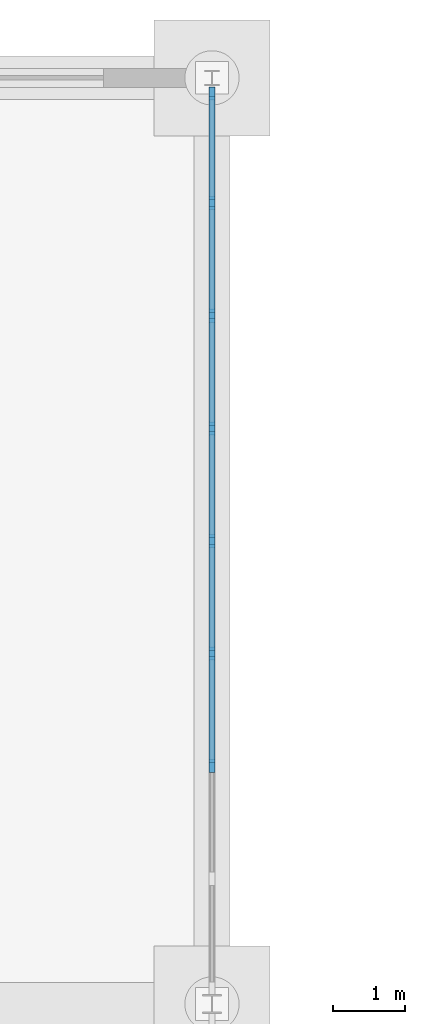
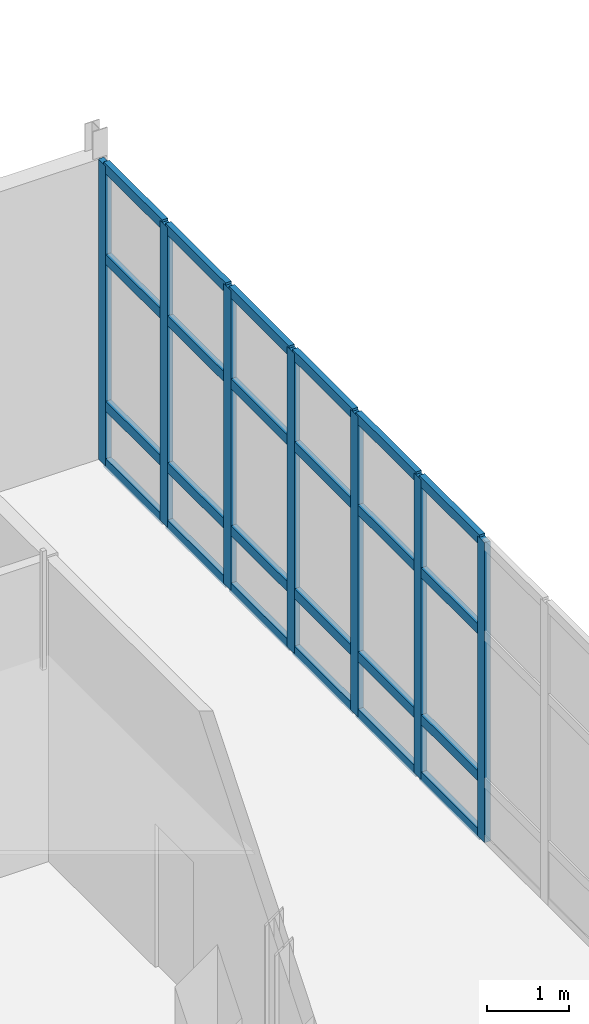
# One storey, part 35 of 111: 31 members, 1 element without a shape of its own.
"""IFC4 building model written with IfcOpenShell, lengths in metres."""

from ifc_helpers import new_model, si_unit, direction, frame, origin, origin_2d, place, context, subcontext, project, spatial, rectangle, extrude, material, material_profile, profile_set, type_object, element, aggregate, save


model = new_model("IFC4")

# Units and contexts
model_context = context("Model", 3, precision=1e-05, world=origin(), true_north=direction((0.0, 1.0)))
body_context = subcontext(model_context, "Body", "Model", "MODEL_VIEW")
ifc_project = project(units=[si_unit("LENGTHUNIT", "METRE"), si_unit("AREAUNIT", "SQUARE_METRE"), si_unit("VOLUMEUNIT", "CUBIC_METRE"), si_unit("PLANEANGLEUNIT", "RADIAN"), si_unit("MASSUNIT", "GRAM", prefix="KILO")], contexts=[model_context])

# Site, building, storey
site_placement = place(None, origin())
site = spatial("IfcSite", under=ifc_project, at=site_placement, CompositionType="ELEMENT")
building_placement = place(site_placement, origin())
building = spatial("IfcBuilding", under=site, at=building_placement, Name="Dunescarp Central Library", CompositionType="ELEMENT")
storey_placement = place(building_placement, origin())
storey = spatial("IfcBuildingStorey", under=building, at=storey_placement, Name="L00", CompositionType="ELEMENT", Elevation=0.0)

# Curtain wall, members
ifc_material = material(Name="Marine-grade anodised aluminium 6063-T6", Category="aluminium")
curtain_wall_type = type_object("IfcCurtainWallType", Name="ARC-CW-STICK", PredefinedType="NOTDEFINED", material=ifc_material)
curtain_wall_placement = place(storey_placement, origin())
curtain_wall = element("IfcCurtainWall", 1, at=curtain_wall_placement, inside=storey, type_object=curtain_wall_type, Name="L00 curtain wall CW-V4N-141", PredefinedType="NOTDEFINED")
ifc_material_profile_1 = material_profile(ifc_material, rectangle(XDim=0.080078125, YDim=0.179931640625, at=origin_2d()), Name="AL 80x180")
ifc_profile_set_1 = profile_set([ifc_material_profile_1], Name="Marine-grade anodised aluminium 6063-T6")
member_type_1 = type_object("IfcMemberType", Name="ARC-CWM-180", PredefinedType="MULLION", material=ifc_profile_set_1)
member_1_placement = place(storey_placement, frame((24.0, 111.784912109375, 0.0), z_axis=(0.0, 0.0, 1.0), x_axis=(1.0, 0.0, 0.0)))
member_1 = element("IfcMember", 2, at=member_1_placement, type_object=member_type_1, Name="CW-V4N-141 mullion 1", PredefinedType="MULLION", context=body_context, shape_type="SweptSolid", body=[
    extrude(rectangle(XDim=0.080078125, YDim=0.179931640625, at=origin_2d()), origin(), (0.0, 0.0, 1.0), 4.4951171875),
])
member_2_placement = place(storey_placement, frame((24.0, 110.268798828125, 0.0), z_axis=(0.0, 0.0, 1.0), x_axis=(1.0, 0.0, 0.0)))
member_2 = element("IfcMember", 3, at=member_2_placement, type_object=member_type_1, Name="CW-V4N-141 mullion 2", PredefinedType="MULLION", context=body_context, shape_type="SweptSolid", body=[
    extrude(rectangle(XDim=0.080078125, YDim=0.179931640625, at=origin_2d()), origin(), (0.0, 0.0, 1.0), 4.4951171875),
])
member_3_placement = place(storey_placement, frame((24.0, 108.71240234375, 0.0), z_axis=(0.0, 0.0, 1.0), x_axis=(1.0, 0.0, 0.0)))
member_3 = element("IfcMember", 4, at=member_3_placement, type_object=member_type_1, Name="CW-V4N-141 mullion 3", PredefinedType="MULLION", context=body_context, shape_type="SweptSolid", body=[
    extrude(rectangle(XDim=0.080078125, YDim=0.179931640625, at=origin_2d()), origin(), (0.0, 0.0, 1.0), 4.4951171875),
])
member_4_placement = place(storey_placement, frame((24.0, 107.15625, 0.0), z_axis=(0.0, 0.0, 1.0), x_axis=(1.0, 0.0, 0.0)))
member_4 = element("IfcMember", 5, at=member_4_placement, type_object=member_type_1, Name="CW-V4N-141 mullion 4", PredefinedType="MULLION", context=body_context, shape_type="SweptSolid", body=[
    extrude(rectangle(XDim=0.080078125, YDim=0.179931640625, at=origin_2d()), origin(), (0.0, 0.0, 1.0), 4.4951171875),
])
member_5_placement = place(storey_placement, frame((24.0, 105.60009765625, 0.0), z_axis=(0.0, 0.0, 1.0), x_axis=(1.0, 0.0, 0.0)))
member_5 = element("IfcMember", 6, at=member_5_placement, type_object=member_type_1, Name="CW-V4N-141 mullion 5", PredefinedType="MULLION", context=body_context, shape_type="SweptSolid", body=[
    extrude(rectangle(XDim=0.080078125, YDim=0.179931640625, at=origin_2d()), origin(), (0.0, 0.0, 1.0), 4.4951171875),
])
member_6_placement = place(storey_placement, frame((24.0, 104.043701171875, 0.0), z_axis=(0.0, 0.0, 1.0), x_axis=(1.0, 0.0, 0.0)))
member_6 = element("IfcMember", 7, at=member_6_placement, type_object=member_type_1, Name="CW-V4N-141 mullion 6", PredefinedType="MULLION", context=body_context, shape_type="SweptSolid", body=[
    extrude(rectangle(XDim=0.080078125, YDim=0.179931640625, at=origin_2d()), origin(), (0.0, 0.0, 1.0), 4.4951171875),
])
member_7_placement = place(storey_placement, frame((24.0, 102.487548828125, 0.0), z_axis=(0.0, 0.0, 1.0), x_axis=(1.0, 0.0, 0.0)))
member_7 = element("IfcMember", 8, at=member_7_placement, type_object=member_type_1, Name="CW-V4N-141 mullion 7", PredefinedType="MULLION", context=body_context, shape_type="SweptSolid", body=[
    extrude(rectangle(XDim=0.080078125, YDim=0.179931640625, at=origin_2d()), origin(), (0.0, 0.0, 1.0), 4.4951171875),
])
ifc_material_profile_2 = material_profile(ifc_material, rectangle(XDim=0.080078125, YDim=0.14990234375, at=origin_2d()), Name="AL 80x150")
ifc_profile_set_2 = profile_set([ifc_material_profile_2], Name="Marine-grade anodised aluminium 6063-T6")
member_type_2 = type_object("IfcMemberType", Name="ARC-CWT-150", PredefinedType="USERDEFINED", material=ifc_profile_set_2)
member_8_placement = place(storey_placement, frame((24.0, 111.7451171875, 0.0400390625), z_axis=(0.0, -1.0, 0.0), x_axis=(1.0, 0.0, 0.0)))
member_8 = element("IfcMember", 9, at=member_8_placement, type_object=member_type_2, Name="CW-V4N-141 transom 1.1", ObjectType="TRANSOM", PredefinedType="USERDEFINED", context=body_context, shape_type="SweptSolid", body=[
    extrude(rectangle(XDim=0.080078125, YDim=0.14990234375, at=origin_2d()), origin(), (0.0, 0.0, 1.0), 1.436279296875),
])
member_9_placement = place(storey_placement, frame((24.0, 111.7451171875, 0.89990234375), z_axis=(0.0, -1.0, 0.0), x_axis=(1.0, 0.0, 0.0)))
member_9 = element("IfcMember", 10, at=member_9_placement, type_object=member_type_2, Name="CW-V4N-141 transom 1.2", ObjectType="TRANSOM", PredefinedType="USERDEFINED", context=body_context, shape_type="SweptSolid", body=[
    extrude(rectangle(XDim=0.080078125, YDim=0.14990234375, at=origin_2d()), origin(), (0.0, 0.0, 1.0), 1.436279296875),
])
member_10_placement = place(storey_placement, frame((24.0, 111.7451171875, 3.10009765625), z_axis=(0.0, -1.0, 0.0), x_axis=(1.0, 0.0, 0.0)))
member_10 = element("IfcMember", 11, at=member_10_placement, type_object=member_type_2, Name="CW-V4N-141 transom 1.3", ObjectType="TRANSOM", PredefinedType="USERDEFINED", context=body_context, shape_type="SweptSolid", body=[
    extrude(rectangle(XDim=0.080078125, YDim=0.14990234375, at=origin_2d()), origin(), (0.0, 0.0, 1.0), 1.436279296875),
])
member_11_placement = place(storey_placement, frame((24.0, 111.7451171875, 4.455078125), z_axis=(0.0, -1.0, 0.0), x_axis=(1.0, 0.0, 0.0)))
member_11 = element("IfcMember", 12, at=member_11_placement, type_object=member_type_2, Name="CW-V4N-141 transom 1.4", ObjectType="TRANSOM", PredefinedType="USERDEFINED", context=body_context, shape_type="SweptSolid", body=[
    extrude(rectangle(XDim=0.080078125, YDim=0.14990234375, at=origin_2d()), origin(), (0.0, 0.0, 1.0), 1.436279296875),
])
member_12_placement = place(storey_placement, frame((24.0, 110.228759765625, 0.0400390625), z_axis=(0.0, -1.0, 0.0), x_axis=(1.0, 0.0, 0.0)))
member_12 = element("IfcMember", 13, at=member_12_placement, type_object=member_type_2, Name="CW-V4N-141 transom 2.1", ObjectType="TRANSOM", PredefinedType="USERDEFINED", context=body_context, shape_type="SweptSolid", body=[
    extrude(rectangle(XDim=0.080078125, YDim=0.14990234375, at=origin_2d()), origin(), (0.0, 0.0, 1.0), 1.476318359375),
])
member_13_placement = place(storey_placement, frame((24.0, 110.228759765625, 0.89990234375), z_axis=(0.0, -1.0, 0.0), x_axis=(1.0, 0.0, 0.0)))
member_13 = element("IfcMember", 14, at=member_13_placement, type_object=member_type_2, Name="CW-V4N-141 transom 2.2", ObjectType="TRANSOM", PredefinedType="USERDEFINED", context=body_context, shape_type="SweptSolid", body=[
    extrude(rectangle(XDim=0.080078125, YDim=0.14990234375, at=origin_2d()), origin(), (0.0, 0.0, 1.0), 1.476318359375),
])
member_14_placement = place(storey_placement, frame((24.0, 110.228759765625, 3.10009765625), z_axis=(0.0, -1.0, 0.0), x_axis=(1.0, 0.0, 0.0)))
member_14 = element("IfcMember", 15, at=member_14_placement, type_object=member_type_2, Name="CW-V4N-141 transom 2.3", ObjectType="TRANSOM", PredefinedType="USERDEFINED", context=body_context, shape_type="SweptSolid", body=[
    extrude(rectangle(XDim=0.080078125, YDim=0.14990234375, at=origin_2d()), origin(), (0.0, 0.0, 1.0), 1.476318359375),
])
member_15_placement = place(storey_placement, frame((24.0, 110.228759765625, 4.455078125), z_axis=(0.0, -1.0, 0.0), x_axis=(1.0, 0.0, 0.0)))
member_15 = element("IfcMember", 16, at=member_15_placement, type_object=member_type_2, Name="CW-V4N-141 transom 2.4", ObjectType="TRANSOM", PredefinedType="USERDEFINED", context=body_context, shape_type="SweptSolid", body=[
    extrude(rectangle(XDim=0.080078125, YDim=0.14990234375, at=origin_2d()), origin(), (0.0, 0.0, 1.0), 1.476318359375),
])
member_16_placement = place(storey_placement, frame((24.0, 108.672607421875, 0.0400390625), z_axis=(0.0, -1.0, 0.0), x_axis=(1.0, 0.0, 0.0)))
member_16 = element("IfcMember", 17, at=member_16_placement, type_object=member_type_2, Name="CW-V4N-141 transom 3.1", ObjectType="TRANSOM", PredefinedType="USERDEFINED", context=body_context, shape_type="SweptSolid", body=[
    extrude(rectangle(XDim=0.080078125, YDim=0.14990234375, at=origin_2d()), origin(), (0.0, 0.0, 1.0), 1.476318359375),
])
member_17_placement = place(storey_placement, frame((24.0, 108.672607421875, 0.89990234375), z_axis=(0.0, -1.0, 0.0), x_axis=(1.0, 0.0, 0.0)))
member_17 = element("IfcMember", 18, at=member_17_placement, type_object=member_type_2, Name="CW-V4N-141 transom 3.2", ObjectType="TRANSOM", PredefinedType="USERDEFINED", context=body_context, shape_type="SweptSolid", body=[
    extrude(rectangle(XDim=0.080078125, YDim=0.14990234375, at=origin_2d()), origin(), (0.0, 0.0, 1.0), 1.476318359375),
])
member_18_placement = place(storey_placement, frame((24.0, 108.672607421875, 3.10009765625), z_axis=(0.0, -1.0, 0.0), x_axis=(1.0, 0.0, 0.0)))
member_18 = element("IfcMember", 19, at=member_18_placement, type_object=member_type_2, Name="CW-V4N-141 transom 3.3", ObjectType="TRANSOM", PredefinedType="USERDEFINED", context=body_context, shape_type="SweptSolid", body=[
    extrude(rectangle(XDim=0.080078125, YDim=0.14990234375, at=origin_2d()), origin(), (0.0, 0.0, 1.0), 1.476318359375),
])
member_19_placement = place(storey_placement, frame((24.0, 108.672607421875, 4.455078125), z_axis=(0.0, -1.0, 0.0), x_axis=(1.0, 0.0, 0.0)))
member_19 = element("IfcMember", 20, at=member_19_placement, type_object=member_type_2, Name="CW-V4N-141 transom 3.4", ObjectType="TRANSOM", PredefinedType="USERDEFINED", context=body_context, shape_type="SweptSolid", body=[
    extrude(rectangle(XDim=0.080078125, YDim=0.14990234375, at=origin_2d()), origin(), (0.0, 0.0, 1.0), 1.476318359375),
])
member_20_placement = place(storey_placement, frame((24.0, 107.1162109375, 0.0400390625), z_axis=(0.0, -1.0, 0.0), x_axis=(1.0, 0.0, 0.0)))
member_20 = element("IfcMember", 21, at=member_20_placement, type_object=member_type_2, Name="CW-V4N-141 transom 4.1", ObjectType="TRANSOM", PredefinedType="USERDEFINED", context=body_context, shape_type="SweptSolid", body=[
    extrude(rectangle(XDim=0.080078125, YDim=0.14990234375, at=origin_2d()), origin(), (0.0, 0.0, 1.0), 1.476318359375),
])
member_21_placement = place(storey_placement, frame((24.0, 107.1162109375, 0.89990234375), z_axis=(0.0, -1.0, 0.0), x_axis=(1.0, 0.0, 0.0)))
member_21 = element("IfcMember", 22, at=member_21_placement, type_object=member_type_2, Name="CW-V4N-141 transom 4.2", ObjectType="TRANSOM", PredefinedType="USERDEFINED", context=body_context, shape_type="SweptSolid", body=[
    extrude(rectangle(XDim=0.080078125, YDim=0.14990234375, at=origin_2d()), origin(), (0.0, 0.0, 1.0), 1.476318359375),
])
member_22_placement = place(storey_placement, frame((24.0, 107.1162109375, 3.10009765625), z_axis=(0.0, -1.0, 0.0), x_axis=(1.0, 0.0, 0.0)))
member_22 = element("IfcMember", 23, at=member_22_placement, type_object=member_type_2, Name="CW-V4N-141 transom 4.3", ObjectType="TRANSOM", PredefinedType="USERDEFINED", context=body_context, shape_type="SweptSolid", body=[
    extrude(rectangle(XDim=0.080078125, YDim=0.14990234375, at=origin_2d()), origin(), (0.0, 0.0, 1.0), 1.476318359375),
])
member_23_placement = place(storey_placement, frame((24.0, 107.1162109375, 4.455078125), z_axis=(0.0, -1.0, 0.0), x_axis=(1.0, 0.0, 0.0)))
member_23 = element("IfcMember", 24, at=member_23_placement, type_object=member_type_2, Name="CW-V4N-141 transom 4.4", ObjectType="TRANSOM", PredefinedType="USERDEFINED", context=body_context, shape_type="SweptSolid", body=[
    extrude(rectangle(XDim=0.080078125, YDim=0.14990234375, at=origin_2d()), origin(), (0.0, 0.0, 1.0), 1.476318359375),
])
member_24_placement = place(storey_placement, frame((24.0, 105.56005859375, 0.0400390625), z_axis=(0.0, -1.0, 0.0), x_axis=(1.0, 0.0, 0.0)))
member_24 = element("IfcMember", 25, at=member_24_placement, type_object=member_type_2, Name="CW-V4N-141 transom 5.1", ObjectType="TRANSOM", PredefinedType="USERDEFINED", context=body_context, shape_type="SweptSolid", body=[
    extrude(rectangle(XDim=0.080078125, YDim=0.14990234375, at=origin_2d()), origin(), (0.0, 0.0, 1.0), 1.476318359375),
])
member_25_placement = place(storey_placement, frame((24.0, 105.56005859375, 0.89990234375), z_axis=(0.0, -1.0, 0.0), x_axis=(1.0, 0.0, 0.0)))
member_25 = element("IfcMember", 26, at=member_25_placement, type_object=member_type_2, Name="CW-V4N-141 transom 5.2", ObjectType="TRANSOM", PredefinedType="USERDEFINED", context=body_context, shape_type="SweptSolid", body=[
    extrude(rectangle(XDim=0.080078125, YDim=0.14990234375, at=origin_2d()), origin(), (0.0, 0.0, 1.0), 1.476318359375),
])
member_26_placement = place(storey_placement, frame((24.0, 105.56005859375, 3.10009765625), z_axis=(0.0, -1.0, 0.0), x_axis=(1.0, 0.0, 0.0)))
member_26 = element("IfcMember", 27, at=member_26_placement, type_object=member_type_2, Name="CW-V4N-141 transom 5.3", ObjectType="TRANSOM", PredefinedType="USERDEFINED", context=body_context, shape_type="SweptSolid", body=[
    extrude(rectangle(XDim=0.080078125, YDim=0.14990234375, at=origin_2d()), origin(), (0.0, 0.0, 1.0), 1.476318359375),
])
member_27_placement = place(storey_placement, frame((24.0, 105.56005859375, 4.455078125), z_axis=(0.0, -1.0, 0.0), x_axis=(1.0, 0.0, 0.0)))
member_27 = element("IfcMember", 28, at=member_27_placement, type_object=member_type_2, Name="CW-V4N-141 transom 5.4", ObjectType="TRANSOM", PredefinedType="USERDEFINED", context=body_context, shape_type="SweptSolid", body=[
    extrude(rectangle(XDim=0.080078125, YDim=0.14990234375, at=origin_2d()), origin(), (0.0, 0.0, 1.0), 1.476318359375),
])
member_28_placement = place(storey_placement, frame((24.0, 104.003662109375, 0.0400390625), z_axis=(0.0, -1.0, 0.0), x_axis=(1.0, 0.0, 0.0)))
member_28 = element("IfcMember", 29, at=member_28_placement, type_object=member_type_2, Name="CW-V4N-141 transom 6.1", ObjectType="TRANSOM", PredefinedType="USERDEFINED", context=body_context, shape_type="SweptSolid", body=[
    extrude(rectangle(XDim=0.080078125, YDim=0.14990234375, at=origin_2d()), origin(), (0.0, 0.0, 1.0), 1.47607421875),
])
member_29_placement = place(storey_placement, frame((24.0, 104.003662109375, 0.89990234375), z_axis=(0.0, -1.0, 0.0), x_axis=(1.0, 0.0, 0.0)))
member_29 = element("IfcMember", 30, at=member_29_placement, type_object=member_type_2, Name="CW-V4N-141 transom 6.2", ObjectType="TRANSOM", PredefinedType="USERDEFINED", context=body_context, shape_type="SweptSolid", body=[
    extrude(rectangle(XDim=0.080078125, YDim=0.14990234375, at=origin_2d()), origin(), (0.0, 0.0, 1.0), 1.47607421875),
])
member_30_placement = place(storey_placement, frame((24.0, 104.003662109375, 3.10009765625), z_axis=(0.0, -1.0, 0.0), x_axis=(1.0, 0.0, 0.0)))
member_30 = element("IfcMember", 31, at=member_30_placement, type_object=member_type_2, Name="CW-V4N-141 transom 6.3", ObjectType="TRANSOM", PredefinedType="USERDEFINED", context=body_context, shape_type="SweptSolid", body=[
    extrude(rectangle(XDim=0.080078125, YDim=0.14990234375, at=origin_2d()), origin(), (0.0, 0.0, 1.0), 1.47607421875),
])
member_31_placement = place(storey_placement, frame((24.0, 104.003662109375, 4.455078125), z_axis=(0.0, -1.0, 0.0), x_axis=(1.0, 0.0, 0.0)))
member_31 = element("IfcMember", 32, at=member_31_placement, type_object=member_type_2, Name="CW-V4N-141 transom 6.4", ObjectType="TRANSOM", PredefinedType="USERDEFINED", context=body_context, shape_type="SweptSolid", body=[
    extrude(rectangle(XDim=0.080078125, YDim=0.14990234375, at=origin_2d()), origin(), (0.0, 0.0, 1.0), 1.47607421875),
])
aggregate(curtain_wall, [member_1, member_2, member_3, member_4, member_5, member_6, member_7, member_8, member_9, member_10, member_11, member_12, member_13, member_14, member_15, member_16, member_17, member_18, member_19, member_20, member_21, member_22, member_23, member_24, member_25, member_26, member_27, member_28, member_29, member_30, member_31])

save(model, "model.ifc")
